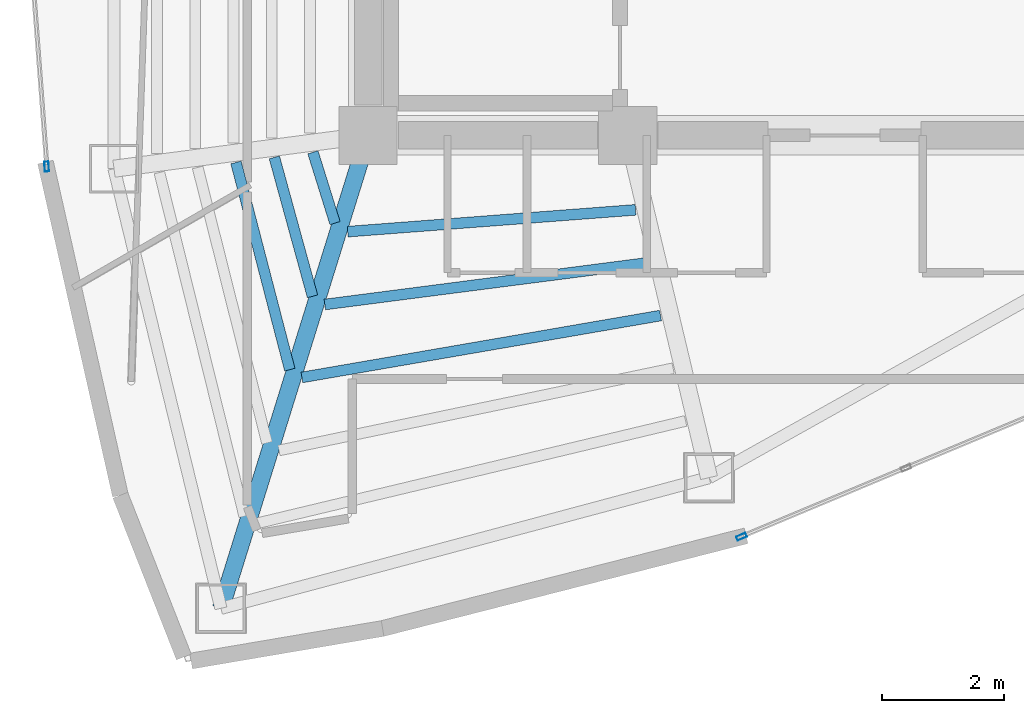
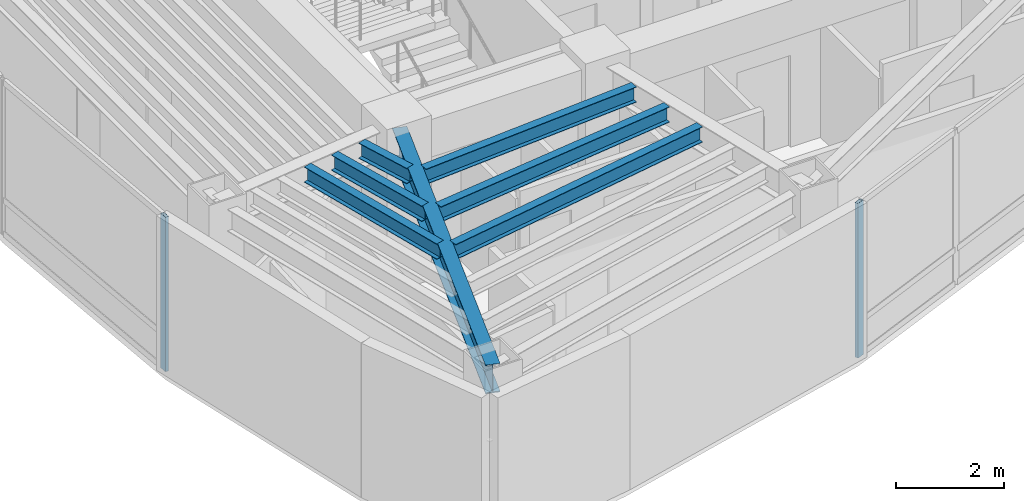
# One storey, part 2 of 16: 7 beams, 2 members, 2 elements without a shape of their own.
"""IFC4 building model written with IfcOpenShell, lengths in metres."""

from ifc_helpers import new_model, si_unit, direction, frame, origin, origin_2d, place, context, subcontext, project, spatial, hollow_rectangle, i_section, extrude, material, layer, layer_set, material_profile, profile_set, type_object, element, aggregate, save


model = new_model("IFC4")

# Units and contexts
model_context = context("Model", 3, precision=1e-05, world=origin(), true_north=direction((0.0, 1.0)))
body_context = subcontext(model_context, "Body", "Model", "MODEL_VIEW")
ifc_project = project(units=[si_unit("LENGTHUNIT", "METRE"), si_unit("AREAUNIT", "SQUARE_METRE"), si_unit("VOLUMEUNIT", "CUBIC_METRE"), si_unit("PLANEANGLEUNIT", "RADIAN"), si_unit("MASSUNIT", "GRAM", prefix="KILO")], contexts=[model_context])

# Site, building, storey
site_placement = place(None, origin())
site = spatial("IfcSite", under=ifc_project, at=site_placement, CompositionType="ELEMENT")
building_placement = place(site_placement, origin())
building = spatial("IfcBuilding", under=site, at=building_placement, Name="Menara Vayukalpa", CompositionType="ELEMENT")
storey_placement = place(building_placement, frame((0.0, 0.0, 276.89990234375)))
storey = spatial("IfcBuildingStorey", under=building, at=storey_placement, Name="L70", CompositionType="ELEMENT", Elevation=276.89990234375)

# Beams
ifc_material_1 = material(Name="Steel S355", Category="steel")
ifc_material_profile_1 = material_profile(ifc_material_1, i_section(OverallWidth=0.280029296875, OverallDepth=0.64990234375, WebThickness=0.012939453125, FlangeThickness=0.02197265625, at=origin_2d()), Name="WF 650x280x13x22")
ifc_profile_set_1 = profile_set([ifc_material_profile_1], Name="Steel S355")
beam_type_1 = type_object("IfcBeamType", Name="BM-PG6", PredefinedType="BEAM", material=ifc_profile_set_1)
beam_1_placement = place(storey_placement, frame((17.7255859375, 16.961181640625, 3.175048828125), z_axis=(-0.297213792842, -0.954810955815, 0.0), x_axis=(0.954810955815, -0.297213792842, 0.0)))
element("IfcBeam", 1, at=beam_1_placement, inside=storey, type_object=beam_type_1, Name="L70 Primary Radial Girder RG07", PredefinedType="BEAM", context=body_context, shape_type="SweptSolid", body=[
    extrude(i_section(OverallWidth=0.280029296875, OverallDepth=0.64990234375, WebThickness=0.012939453125, FlangeThickness=0.02197265625, at=origin_2d()), origin(), (0.0, 0.0, 1.0), 7.861083984375),
])
ifc_material_2 = material(Name="Steel S355", Category="steel")
ifc_material_profile_2 = material_profile(ifc_material_2, i_section(OverallWidth=0.175048828125, OverallDepth=0.35009765625, WebThickness=0.007080078125, FlangeThickness=0.010986328125, at=origin_2d()), Name="WF 350x175x7x11")
ifc_profile_set_2 = profile_set([ifc_material_profile_2], Name="Steel S355")
beam_type_2 = type_object("IfcBeamType", Name="BM-SJ3", PredefinedType="JOIST", material=ifc_profile_set_2)
beam_2_placement = place(storey_placement, frame((16.8955078125, 16.922119140625, 3.3251953125), z_axis=(0.297954442868, -0.954580090917, 0.0), x_axis=(0.954580090917, 0.297954442868, 0.0)))
element("IfcBeam", 2, at=beam_2_placement, inside=storey, type_object=beam_type_2, Name="L70 Secondary Floor Joist SJ06-1", PredefinedType="JOIST", context=body_context, shape_type="SweptSolid", body=[
    extrude(i_section(OverallWidth=0.175048828125, OverallDepth=0.35009765625, WebThickness=0.007080078125, FlangeThickness=0.010986328125, at=origin_2d()), origin(), (0.0, 0.0, 1.0), 1.21435546875),
])
beam_3_placement = place(storey_placement, frame((16.263916015625, 16.83837890625, 3.3251953125), z_axis=(0.264947201585, -0.96426292077, 0.0), x_axis=(0.96426292077, 0.264947201585, 0.0)))
element("IfcBeam", 3, at=beam_3_placement, inside=storey, type_object=beam_type_2, Name="L70 Secondary Floor Joist SJ06-2", PredefinedType="JOIST", context=body_context, shape_type="SweptSolid", body=[
    extrude(i_section(OverallWidth=0.175048828125, OverallDepth=0.35009765625, WebThickness=0.007080078125, FlangeThickness=0.010986328125, at=origin_2d()), origin(), (0.0, 0.0, 1.0), 2.35888671875),
])
beam_4_placement = place(storey_placement, frame((15.6357421875, 16.755615234375, 3.3251953125), z_axis=(0.251457685321, -0.967868292947, 0.0), x_axis=(0.967868292947, 0.251457685321, 0.0)))
element("IfcBeam", 4, at=beam_4_placement, inside=storey, type_object=beam_type_2, Name="L70 Secondary Floor Joist SJ06-3", PredefinedType="JOIST", context=body_context, shape_type="SweptSolid", body=[
    extrude(i_section(OverallWidth=0.175048828125, OverallDepth=0.35009765625, WebThickness=0.007080078125, FlangeThickness=0.010986328125, at=origin_2d()), origin(), (0.0, 0.0, 1.0), 3.5048828125),
])
beam_5_placement = place(storey_placement, frame((17.464599609375, 15.622314453125, 3.3251953125), z_axis=(0.997140447376, 0.075570683512, 0.0), x_axis=(-0.075570683512, 0.997140447376, 0.0)))
element("IfcBeam", 5, at=beam_5_placement, inside=storey, type_object=beam_type_2, Name="L70 Secondary Floor Joist SJ07-1", PredefinedType="JOIST", context=body_context, shape_type="SweptSolid", body=[
    extrude(i_section(OverallWidth=0.175048828125, OverallDepth=0.35009765625, WebThickness=0.007080078125, FlangeThickness=0.010986328125, at=origin_2d()), origin(), (0.0, 0.0, 1.0), 4.726318359375),
])
beam_6_placement = place(storey_placement, frame((17.08984375, 14.4296875, 3.3251953125), z_axis=(0.991761375414, 0.128099079766, 0.0), x_axis=(-0.128099079766, 0.991761375414, 0.0)))
element("IfcBeam", 6, at=beam_6_placement, inside=storey, type_object=beam_type_2, Name="L70 Secondary Floor Joist SJ07-2", PredefinedType="JOIST", context=body_context, shape_type="SweptSolid", body=[
    extrude(i_section(OverallWidth=0.175048828125, OverallDepth=0.35009765625, WebThickness=0.007080078125, FlangeThickness=0.010986328125, at=origin_2d()), origin(), (0.0, 0.0, 1.0), 5.33642578125),
])
beam_7_placement = place(storey_placement, frame((16.715087890625, 13.235595703125, 3.3251953125), z_axis=(0.985438818134, 0.170030396443, 0.0), x_axis=(-0.170030396443, 0.985438818134, 0.0)))
element("IfcBeam", 7, at=beam_7_placement, inside=storey, type_object=beam_type_2, Name="L70 Secondary Floor Joist SJ07-3", PredefinedType="JOIST", context=body_context, shape_type="SweptSolid", body=[
    extrude(i_section(OverallWidth=0.175048828125, OverallDepth=0.35009765625, WebThickness=0.007080078125, FlangeThickness=0.010986328125, at=origin_2d()), origin(), (0.0, 0.0, 1.0), 5.958740234375),
])

# Curtain wall, member
ifc_material_3 = material(Name="Anodised Terracotta Aluminium Alloy 6063-T6", Category="masonry")
ifc_layer = layer(ifc_material_3, 0.1650390625)
ifc_layer_set = layer_set([ifc_layer], Name="Anodised Terracotta Aluminium Alloy 6063-T6")
curtain_wall_type = type_object("IfcCurtainWallType", Name="CW-CW6", PredefinedType="USERDEFINED", material=ifc_layer_set)
curtain_wall_1_placement = place(storey_placement, origin())
curtain_wall_1 = element("IfcCurtainWall", 8, at=curtain_wall_1_placement, inside=storey, type_object=curtain_wall_type, Name="L70 Observation and Executive Curtain Wall CW6 11", ObjectType="UNITISED", PredefinedType="USERDEFINED")
ifc_material_4 = material(Name="Anodised Terracotta Aluminium Alloy 6063-T6", Category="masonry")
ifc_material_profile_3 = material_profile(ifc_material_4, hollow_rectangle(XDim=0.070068359375, YDim=0.1650390625, WallThickness=0.00390625, at=origin_2d()), Name="ALU 70x165x4")
ifc_profile_set_3 = profile_set([ifc_material_profile_3], Name="Anodised Terracotta Aluminium Alloy 6063-T6")
member_type = type_object("IfcMemberType", Name="CWM-CW6", PredefinedType="MULLION", material=ifc_profile_set_3)
member_1_placement = place(storey_placement, frame((12.536376953125, 16.688232421875, 0.0), z_axis=(0.0, 0.0, 1.0), x_axis=(0.997199344663, 0.074789484574, 0.0)))
member_1 = element("IfcMember", 9, at=member_1_placement, type_object=member_type, Name="CW6 mullion 2", PredefinedType="MULLION", context=body_context, shape_type="SweptSolid", body=[
    extrude(hollow_rectangle(XDim=0.070068359375, YDim=0.1650390625, WallThickness=0.00390625, at=origin_2d()), origin(), (0.0, 0.0, 1.0), 3.5),
])
aggregate(curtain_wall_1, [member_1])

curtain_wall_2_placement = place(storey_placement, origin())
curtain_wall_2 = element("IfcCurtainWall", 10, at=curtain_wall_2_placement, inside=storey, type_object=curtain_wall_type, Name="L70 Observation and Executive Curtain Wall CW6 16", ObjectType="UNITISED", PredefinedType="USERDEFINED")
member_2_placement = place(storey_placement, frame((23.913330078125, 10.62841796875, 0.0), z_axis=(0.0, 0.0, 1.0), x_axis=(-0.385899911703, 0.922540653927, 0.0)))
member_2 = element("IfcMember", 11, at=member_2_placement, type_object=member_type, Name="CW6 mullion 1", PredefinedType="MULLION", context=body_context, shape_type="SweptSolid", body=[
    extrude(hollow_rectangle(XDim=0.070068359375, YDim=0.1650390625, WallThickness=0.00390625, at=origin_2d()), origin(), (0.0, 0.0, 1.0), 3.5),
])
aggregate(curtain_wall_2, [member_2])

save(model, "model.ifc")
